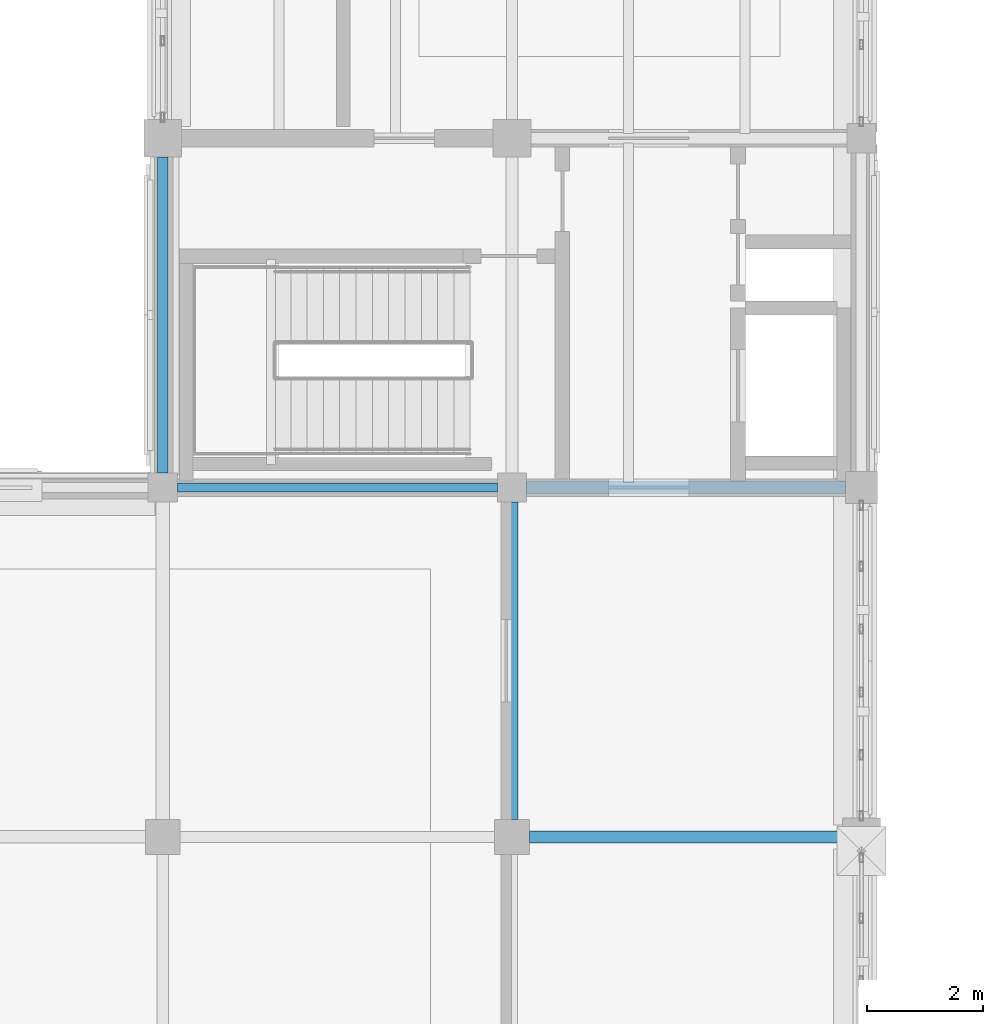
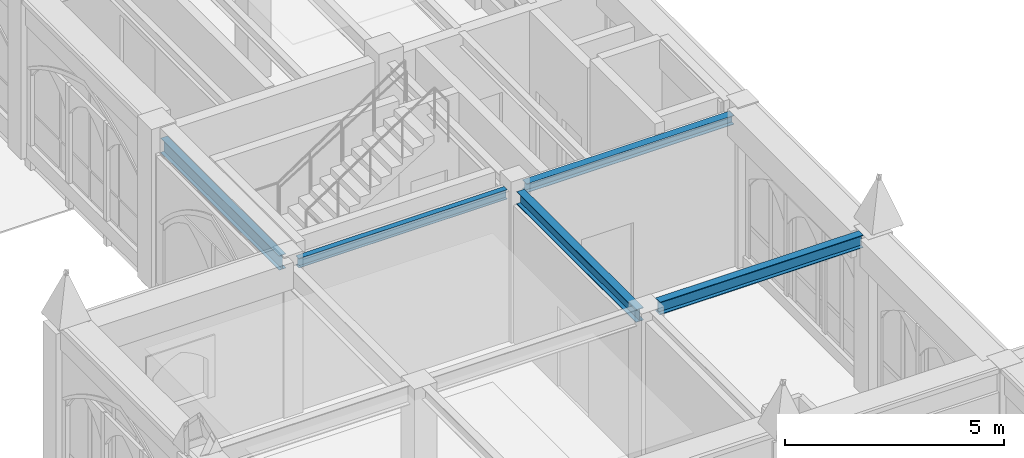
# One storey, part 9 of 127: 5 beams.
"""IFC4 building model written with IfcOpenShell, lengths in metres."""

import ifcopenshell
import ifcopenshell.guid

model = None  # the IFC model being written
_history = None  # IfcOwnerHistory: only IFC2X3 demands one
_inside = {}  # id of a spatial element -> (the spatial element, [elements in it])
_under = {}  # id of a project, library or spatial element -> (it, [spatial elements below it])
_declared = {}  # id of a project -> (the project, [libraries it declares])
_typed = {}  # id of a type object -> (the type object, [elements of that type])
_made_of = {}  # id of a material, layer set ... -> (it, [elements and type objects made of it])


def new_model(schema):
    """Start an empty IFC model of exactly this schema.

    Asked for "IFC4X3", IfcOpenShell would pick the latest addendum, in which some entities
    have other attributes; the version numbers below select the first issue.
    IFC2X3 requires an IfcOwnerHistory on every rooted entity: one is made here for all.
    """
    global model, _history
    if schema == "IFC4X3":
        model = ifcopenshell.file(schema_version=(4, 3, 0, 0))
    else:
        model = ifcopenshell.file(schema=schema)
    _inside.clear()
    _under.clear()
    _declared.clear()
    _typed.clear()
    _made_of.clear()
    _history = None
    if model.schema == "IFC2X3":
        org = make("IfcOrganization", Name="unknown")
        user = make(
            "IfcPersonAndOrganization",
            ThePerson=make("IfcPerson", FamilyName="unknown"),
            TheOrganization=org,
        )
        app = make(
            "IfcApplication",
            ApplicationDeveloper=org,
            Version="unknown",
            ApplicationFullName="unknown",
            ApplicationIdentifier="unknown",
        )
        _history = make(
            "IfcOwnerHistory",
            OwningUser=user,
            OwningApplication=app,
            ChangeAction="ADDED",
            CreationDate=0,
        )
    return model


def make(cls, **values):
    """One entity of the class cls with the attributes given. An attribute that is None is left unset."""
    return model.create_entity(
        cls, **{name: value for name, value in values.items() if value is not None}
    )


def rooted(cls, **values):
    """An entity with a GlobalId (a new one), such as an element, a storey or a relation."""
    return make(cls, GlobalId=ifcopenshell.guid.new(), OwnerHistory=_history, **values)


def si_unit(unit_type, name, prefix=None):
    """IfcSIUnit, for example si_unit("LENGTHUNIT", "METRE", prefix="MILLI")."""
    return make("IfcSIUnit", UnitType=unit_type, Prefix=prefix, Name=name)


def assignment(units):
    """IfcUnitAssignment: the units of a project."""
    return None if units is None else make("IfcUnitAssignment", Units=units)


def point(xyz):
    """IfcCartesianPoint."""
    return None if xyz is None else make("IfcCartesianPoint", Coordinates=xyz)


def direction(xyz):
    """IfcDirection."""
    return None if xyz is None else make("IfcDirection", DirectionRatios=xyz)


def frame(location, z_axis=None, x_axis=None):
    """IfcAxis2Placement3D, a coordinate frame: its origin and axes. An axis left out is left unset."""
    return make(
        "IfcAxis2Placement3D",
        Location=point(location),
        Axis=direction(z_axis),
        RefDirection=direction(x_axis),
    )


def frame_2d(location, x_axis=None):
    """IfcAxis2Placement2D, a coordinate frame in the plane: its origin and x axis."""
    return make(
        "IfcAxis2Placement2D", Location=point(location), RefDirection=direction(x_axis)
    )


def origin():
    """The frame at (0, 0, 0) with its axes left unset."""
    return frame((0.0, 0.0, 0.0))


def origin_2d():
    """The frame at (0, 0) in the plane with its x axis left unset."""
    return frame_2d((0.0, 0.0))


def place(relative_to, where):
    """IfcLocalPlacement: puts the frame where relative to a parent placement (None: the world)."""
    return make(
        "IfcLocalPlacement", PlacementRelTo=relative_to, RelativePlacement=where
    )


def context(
    kind, dimensions, precision=None, world=None, true_north=None, identifier=None
):
    """IfcGeometricRepresentationContext, for example the 3D "Model" context."""
    return make(
        "IfcGeometricRepresentationContext",
        ContextIdentifier=identifier,
        ContextType=kind,
        CoordinateSpaceDimension=dimensions,
        Precision=precision,
        WorldCoordinateSystem=world,
        TrueNorth=true_north,
    )


def subcontext(parent, identifier, kind, view, scale=None):
    """IfcGeometricRepresentationSubContext, for example "Body" below "Model"."""
    return make(
        "IfcGeometricRepresentationSubContext",
        ContextIdentifier=identifier,
        ContextType=kind,
        ParentContext=parent,
        TargetScale=scale,
        TargetView=view,
    )


def project(units=None, contexts=None):
    """IfcProject with its units and contexts."""
    return rooted(
        "IfcProject",
        Name="project",
        RepresentationContexts=contexts,
        UnitsInContext=assignment(units),
    )


def spatial(cls, under=None, at=None, **own):
    """A site, building, storey or space (cls), placed at a placement, below another one or the project."""
    s = rooted(cls, ObjectPlacement=at, **own)
    if under is not None:
        _under.setdefault(under.id(), (under, []))[1].append(s)
    return s


def profile(cls, at=None, kind="AREA", **sizes):
    """A parametric profile (cls). Its sizes go by their IFC names, for example OverallWidth=200.0."""
    return make(cls, ProfileType=kind, Position=at, **sizes)


def i_section(**sizes):
    """IfcIShapeProfileDef."""
    return profile("IfcIShapeProfileDef", **sizes)


def extrude(swept, where, along, depth):
    """IfcExtrudedAreaSolid: the profile swept, set in the frame where, extruded along a direction by depth."""
    return make(
        "IfcExtrudedAreaSolid",
        SweptArea=swept,
        Position=where,
        ExtrudedDirection=direction(along),
        Depth=depth,
    )


def shape(context_of_items, identifier, shape_type, items):
    """IfcShapeRepresentation: the items that make up one representation, for example the "Body"."""
    return make(
        "IfcShapeRepresentation",
        ContextOfItems=context_of_items,
        RepresentationIdentifier=identifier,
        RepresentationType=shape_type,
        Items=items,
    )


def material(Name=None, Category=None):
    """IfcMaterial."""
    return make("IfcMaterial", Name=Name, Category=Category)


def material_profile(
    of_material, cross_section, Name=None, Category=None, Priority=None
):
    """IfcMaterialProfile: a cross section and its material."""
    return make(
        "IfcMaterialProfile",
        Name=Name,
        Material=of_material,
        Profile=cross_section,
        Priority=Priority,
        Category=Category,
    )


def profile_set(profiles, Name=None, composite=None):
    """IfcMaterialProfileSet."""
    return make(
        "IfcMaterialProfileSet",
        Name=Name,
        MaterialProfiles=profiles,
        CompositeProfile=composite,
    )


def made_of(thing, what):
    """Note that an element or type object is made of a material, layer set ...; save() writes the relation."""
    if what is not None:
        _made_of.setdefault(what.id(), (what, []))[1].append(thing)
    return thing


def type_object(cls, material=None, **own):
    """A type object (cls), such as IfcWallType, which elements share."""
    return made_of(rooted(cls, **own), material)


def element(
    cls,
    number,
    at=None,
    inside=None,
    cuts=None,
    type_object=None,
    material=None,
    context=None,
    identifier="Body",
    shape_type=None,
    held_by="IfcProductDefinitionShape",
    body=None,
    shapes=None,
    **own,
):
    """One element of the class cls, such as IfcWall. Its Tag is "e" and its number.

    at: its placement. inside: the storey or other place that contains it. cuts: it is an
    opening in that element (IfcRelVoidsElement). A single representation is given by context,
    identifier, shape_type and body (its items); several are given by shapes. held_by: the class
    of the entity that holds the representations. save() writes the other relations.
    """
    e = rooted(cls, Tag="e%d" % number, ObjectPlacement=at, **own)
    if body is not None:
        shapes = [shape(context, identifier, shape_type, body)]
    if shapes is not None:
        e.Representation = make(held_by, Representations=shapes)
    if inside is not None:
        _inside.setdefault(inside.id(), (inside, []))[1].append(e)
    if cuts is not None:
        rooted(
            "IfcRelVoidsElement", RelatingBuildingElement=cuts, RelatedOpeningElement=e
        )
    if type_object is not None:
        _typed.setdefault(type_object.id(), (type_object, []))[1].append(e)
    return made_of(e, material)


def aggregate(whole, parts):
    """IfcRelAggregates: a whole, such as a stair, and the parts it consists of."""
    return rooted("IfcRelAggregates", RelatingObject=whole, RelatedObjects=parts)


def save(model, path):
    """Write the relations noted so far, then the file.

    IfcRelAggregates (storeys below a building ...), IfcRelContainedInSpatialStructure (elements
    in a storey), IfcRelDefinesByType, IfcRelAssociatesMaterial and IfcRelDeclares: one each for
    every whole, place, type object, material and project.
    """
    for whole, parts in _under.values():
        aggregate(whole, parts)
    for where, things in _inside.values():
        rooted(
            "IfcRelContainedInSpatialStructure",
            RelatedElements=things,
            RelatingStructure=where,
        )
    for kind, things in _typed.values():
        rooted("IfcRelDefinesByType", RelatedObjects=things, RelatingType=kind)
    for what, things in _made_of.values():
        rooted("IfcRelAssociatesMaterial", RelatedObjects=things, RelatingMaterial=what)
    for by, libraries in _declared.values():
        rooted("IfcRelDeclares", RelatingContext=by, RelatedDefinitions=libraries)
    model.write(path)


model = new_model("IFC4")

# Units and contexts
model_context = context("Model", 3, precision=1e-05, world=origin(), true_north=direction((0.0, 1.0)))
body_context = subcontext(model_context, "Body", "Model", "MODEL_VIEW")
ifc_project = project(units=[si_unit("LENGTHUNIT", "METRE"), si_unit("AREAUNIT", "SQUARE_METRE"), si_unit("VOLUMEUNIT", "CUBIC_METRE"), si_unit("PLANEANGLEUNIT", "RADIAN"), si_unit("MASSUNIT", "GRAM", prefix="KILO")], contexts=[model_context])

# Site, building, storey
site_placement = place(None, origin())
site = spatial("IfcSite", under=ifc_project, at=site_placement, CompositionType="ELEMENT")
building_placement = place(site_placement, origin())
building = spatial("IfcBuilding", under=site, at=building_placement, Name="Cumevento Cable Car Station", CompositionType="ELEMENT")
storey_placement = place(building_placement, frame((0.0, 0.0, 4.5)))
storey = spatial("IfcBuildingStorey", under=building, at=storey_placement, Name="L02", CompositionType="ELEMENT", Elevation=4.5)

# Beams
ifc_material_1 = material(Name="Steel ASTM A572 Grade 50", Category="steel")
ifc_material_profile_1 = material_profile(ifc_material_1, i_section(OverallWidth=0.205078125, OverallDepth=0.35400390625, WebThickness=0.009521484375, FlangeThickness=0.016845703125, at=origin_2d()), Name="W360x79.0")
ifc_profile_set_1 = profile_set([ifc_material_profile_1], Name="Steel ASTM A572 Grade 50")
beam_type_1 = type_object("IfcBeamType", Name="Structural Beam BM-05 W360x79.0", PredefinedType="BEAM", material=ifc_profile_set_1)
beam_1_placement = place(storey_placement, frame((16.300048828125, 21.0, 4.322998046875), z_axis=(1.0, 0.0, 0.0), x_axis=(0.0, 1.0, 0.0)))
element("IfcBeam", 1, at=beam_1_placement, inside=storey, type_object=beam_type_1, Name="Beam BM-05 L02 #522", PredefinedType="BEAM", context=body_context, shape_type="SweptSolid", body=[
    extrude(i_section(OverallWidth=0.205078125, OverallDepth=0.35400390625, WebThickness=0.009521484375, FlangeThickness=0.016845703125, at=origin_2d()), origin(), (0.0, 0.0, 1.0), 5.375),
])
beam_2_placement = place(storey_placement, frame((16.0, 21.300048828125, 4.008056640625), z_axis=(0.0, 1.0, 0.0), x_axis=(-1.0, 0.0, 0.0)))
element("IfcBeam", 2, at=beam_2_placement, inside=storey, type_object=beam_type_1, Name="Beam BM-05 L02 #531", PredefinedType="BEAM", context=body_context, shape_type="SweptSolid", body=[
    extrude(i_section(OverallWidth=0.205078125, OverallDepth=0.35400390625, WebThickness=0.009521484375, FlangeThickness=0.016845703125, at=origin_2d()), origin(), (0.0, 0.0, 1.0), 5.449951171875),
])
ifc_material_2 = material(Name="Steel ASTM A572 Grade 50", Category="steel")
ifc_material_profile_2 = material_profile(ifc_material_2, i_section(OverallWidth=0.14794921875, OverallDepth=0.26611328125, WebThickness=0.007568359375, FlangeThickness=0.012939453125, at=origin_2d()), Name="W250x44.8")
ifc_profile_set_2 = profile_set([ifc_material_profile_2], Name="Steel ASTM A572 Grade 50")
beam_type_2 = type_object("IfcBeamType", Name="Structural Beam BM-07 W250x44.8", PredefinedType="BEAM", material=ifc_profile_set_2)
beam_3_placement = place(storey_placement, frame((10.25, 27.0, 4.052001953125), z_axis=(1.0, 0.0, 0.0), x_axis=(0.0, 1.0, 0.0)))
element("IfcBeam", 3, at=beam_3_placement, inside=storey, type_object=beam_type_2, Name="Beam BM-07 L02 #524", PredefinedType="BEAM", context=body_context, shape_type="SweptSolid", body=[
    extrude(i_section(OverallWidth=0.14794921875, OverallDepth=0.26611328125, WebThickness=0.007568359375, FlangeThickness=0.012939453125, at=origin_2d()), origin(), (0.0, 0.0, 1.0), 5.5),
])
ifc_material_3 = material(Name="Steel ASTM A572 Grade 50", Category="steel")
ifc_material_profile_3 = material_profile(ifc_material_3, i_section(OverallWidth=0.202880859375, OverallDepth=0.251953125, WebThickness=0.008056640625, FlangeThickness=0.013427734375, at=origin_2d()), Name="W250x58.0")
ifc_profile_set_3 = profile_set([ifc_material_profile_3], Name="Steel ASTM A572 Grade 50")
beam_type_3 = type_object("IfcBeamType", Name="Structural Beam BM-08 W250x58.0", PredefinedType="BEAM", material=ifc_profile_set_3)
beam_4_placement = place(storey_placement, frame((16.25, 27.0, 4.05908203125), z_axis=(1.0, 0.0, 0.0), x_axis=(0.0, 1.0, 0.0)))
element("IfcBeam", 4, at=beam_4_placement, inside=storey, type_object=beam_type_3, Name="Beam BM-08 L02 #525", PredefinedType="BEAM", context=body_context, shape_type="SweptSolid", body=[
    extrude(i_section(OverallWidth=0.202880859375, OverallDepth=0.251953125, WebThickness=0.008056640625, FlangeThickness=0.013427734375, at=origin_2d()), origin(), (0.0, 0.0, 1.0), 5.47509765625),
])
ifc_material_4 = material(Name="Steel ASTM A572 Grade 50", Category="steel")
ifc_material_profile_4 = material_profile(ifc_material_4, i_section(OverallWidth=0.177978515625, OverallDepth=0.406982421875, WebThickness=0.0078125, FlangeThickness=0.0126953125, at=origin_2d()), Name="W410x60.0")
ifc_profile_set_4 = profile_set([ifc_material_profile_4], Name="Steel ASTM A572 Grade 50")
beam_type_4 = type_object("IfcBeamType", Name="Structural Spandrel SP-01 W410x60.0", PredefinedType="SPANDREL", material=ifc_profile_set_4)
beam_5_placement = place(storey_placement, frame((10.0, 27.25, 3.9814453125), z_axis=(0.0, 1.0, 0.0), x_axis=(-1.0, 0.0, 0.0)))
element("IfcBeam", 5, at=beam_5_placement, inside=storey, type_object=beam_type_4, Name="Beam SP-01 L02 #536", PredefinedType="SPANDREL", context=body_context, shape_type="SweptSolid", body=[
    extrude(i_section(OverallWidth=0.177978515625, OverallDepth=0.406982421875, WebThickness=0.0078125, FlangeThickness=0.0126953125, at=origin_2d()), origin(), (0.0, 0.0, 1.0), 5.425048828125),
])

save(model, "model.ifc")
